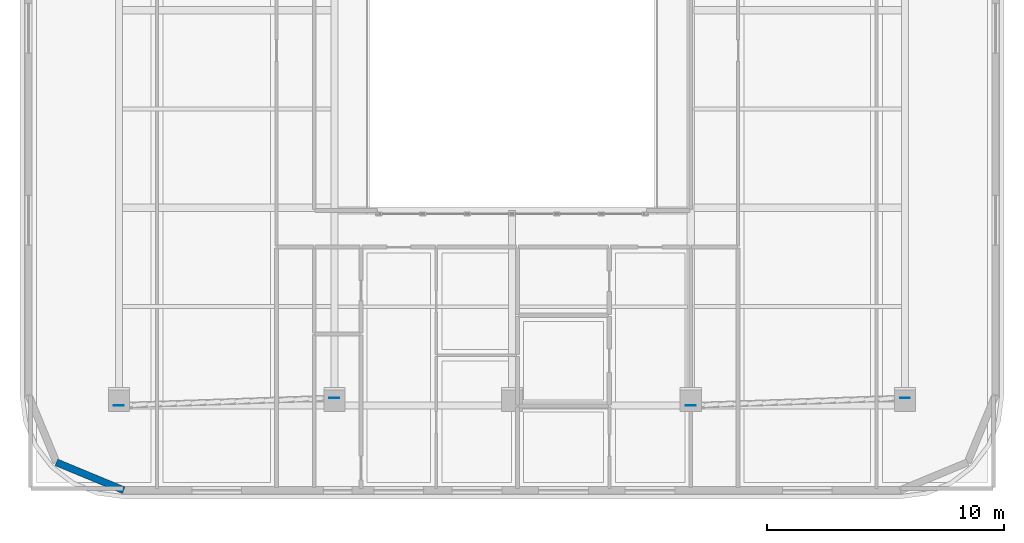
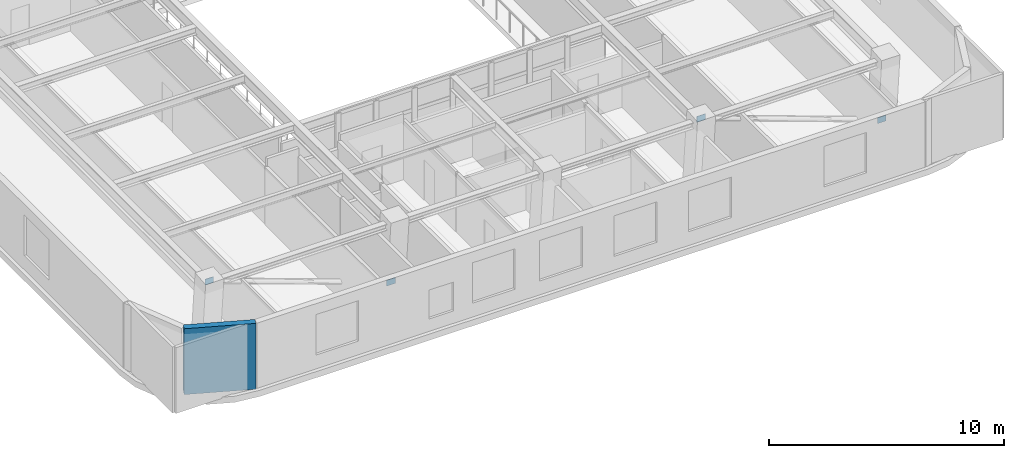
# One storey, part 4 of 11: 4 plates, 1 wall.
"""IFC4 building model written with IfcOpenShell, lengths in metres."""

from ifc_helpers import new_model, si_unit, direction, frame, frame_2d, origin, origin_2d, place, context, subcontext, project, spatial, rectangle, extrude, material, layer, layer_set, type_object, element, save


model = new_model("IFC4")

# Units and contexts
model_context = context("Model", 3, precision=1e-05, world=origin(), true_north=direction((0.0, 1.0)))
body_context = subcontext(model_context, "Body", "Model", "MODEL_VIEW")
ifc_project = project(units=[si_unit("LENGTHUNIT", "METRE"), si_unit("AREAUNIT", "SQUARE_METRE"), si_unit("VOLUMEUNIT", "CUBIC_METRE"), si_unit("PLANEANGLEUNIT", "RADIAN"), si_unit("MASSUNIT", "GRAM", prefix="KILO")], contexts=[model_context])

# Site, building, storey
site_placement = place(None, origin())
site = spatial("IfcSite", under=ifc_project, at=site_placement, CompositionType="ELEMENT")
building_placement = place(site_placement, origin())
building = spatial("IfcBuilding", under=site, at=building_placement, Name="Zarnavel Station Tower", CompositionType="ELEMENT")
storey_placement = place(building_placement, frame((0.0, 0.0, 262.10009765625)))
storey = spatial("IfcBuildingStorey", under=building, at=storey_placement, Name="L71", CompositionType="ELEMENT", Elevation=262.10009765625)

# Plates
ifc_material_1 = material(Name="Steel S460M", Category="steel")
ifc_layer_1 = layer(ifc_material_1, 0.02490234375)
ifc_layer_set_1 = layer_set([ifc_layer_1], Name="GP_GUSSET_25")
plate_type = type_object("IfcPlateType", Name="GP_GUSSET_25", PredefinedType="USERDEFINED", material=ifc_layer_set_1)
for number, where, z_axis, x_axis, name in (
    (1, (21.300048828125, 2.4765625, -0.14990234375), (0.0, 0.0, 1.0), (1.0, 0.0, 0.0), "L71 Exterior Diagonal Brace End Gusset 1-1"),
    (2, (12.199951171875, 2.16650390625, 3.27001953125), (0.0, 0.0, 1.0), (1.0, 0.0, 0.0), "L71 Exterior Diagonal Brace End Gusset 1-2"),
    (3, (45.39990234375, 2.4765625, -0.14990234375), (0.0, 0.0, 1.0), (1.0, 0.0, 0.0), "L71 Exterior Diagonal Brace End Gusset 2-1"),
    (4, (36.35009765625, 2.16650390625, 3.27001953125), (0.0, 0.0, 1.0), (1.0, 0.0, 0.0), "L71 Exterior Diagonal Brace End Gusset 2-2"),
):
    element("IfcPlate", number, at=place(storey_placement, frame(where, z_axis=z_axis, x_axis=x_axis)), inside=storey, type_object=plate_type, Name=name, ObjectType="GUSSET_PLATE", PredefinedType="USERDEFINED", context=body_context, shape_type="SweptSolid", body=[
        extrude(rectangle(XDim=0.419921875, YDim=0.02490234375, at=origin_2d()), origin(), (0.0, 0.0, 1.0), 0.300048828125),
    ])

# Wall
ifc_material_2 = material(Name="Precast concrete C45/55 (Dark Basalt Finish)", Category="masonry")
ifc_layer_2 = layer(ifc_material_2, 0.300048828125)
ifc_layer_set_2 = layer_set([ifc_layer_2], Name="EW_BASALT_300")
wall_type = type_object("IfcWallType", Name="EW_BASALT_300", PredefinedType="SOLIDWALL", material=ifc_layer_set_2)
wall_placement = place(storey_placement, frame((12.39990234375, -1.419921875, 0.0), z_axis=(0.0, 0.0, 1.0), x_axis=(-0.92389884758, 0.382636798336, 0.0)))
element("IfcWall", 5, at=wall_placement, inside=storey, type_object=wall_type, Name="L71 Exterior Basalt Masonry Frame Wall 11", PredefinedType="SOLIDWALL", context=body_context, shape_type="SweptSolid", body=[
    extrude(rectangle(XDim=3.07666015625, YDim=0.300048828125, at=frame_2d((1.538330078125, 0.0))), origin(), (0.0, 0.0, 1.0), 3.419921875),
])

save(model, "model.ifc")
